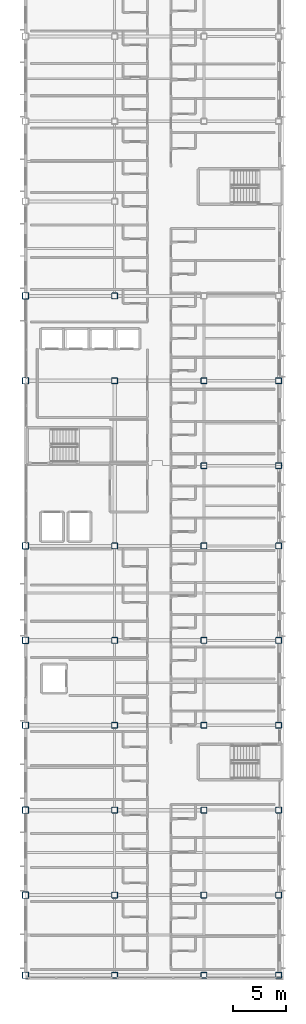
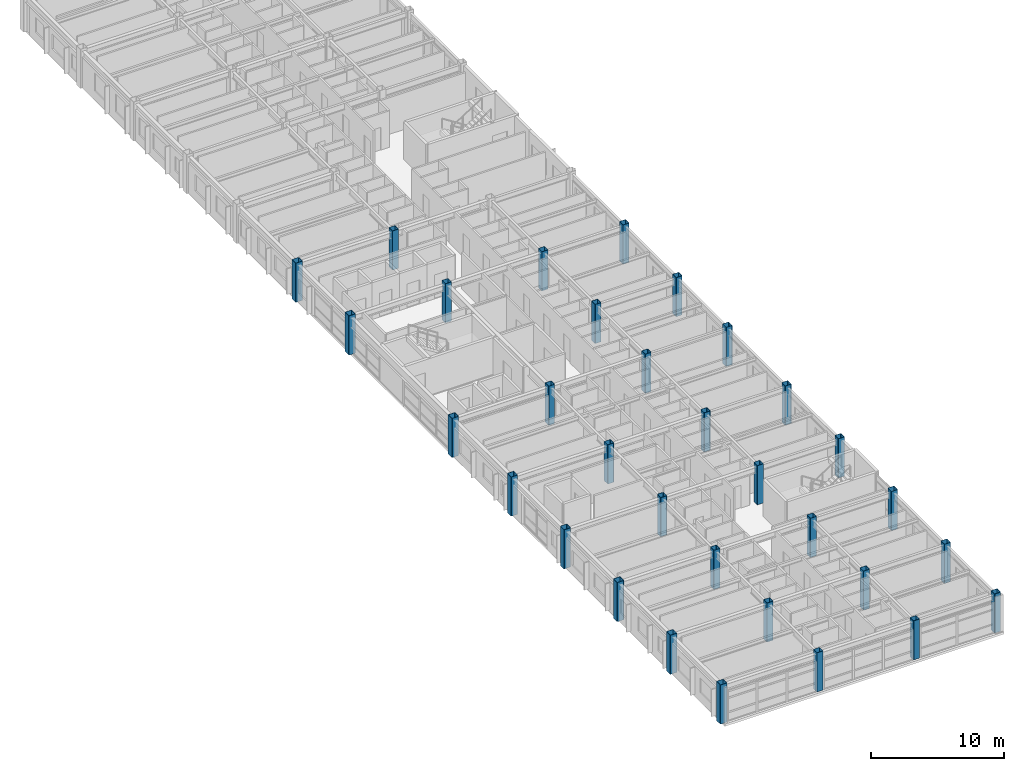
# One storey, part 1 of 38: 32 columns.
"""IFC4 building model written with IfcOpenShell, lengths in metres."""

from ifc_helpers import new_model, si_unit, direction, frame, origin, origin_2d, place, context, subcontext, project, spatial, hollow_rectangle, extrude, material, material_profile, profile_set, type_object, element, save


model = new_model("IFC4")

# Units and contexts
model_context = context("Model", 3, precision=1e-05, world=origin(), true_north=direction((0.0, 1.0)))
body_context = subcontext(model_context, "Body", "Model", "MODEL_VIEW")
ifc_project = project(units=[si_unit("LENGTHUNIT", "METRE"), si_unit("AREAUNIT", "SQUARE_METRE"), si_unit("VOLUMEUNIT", "CUBIC_METRE"), si_unit("PLANEANGLEUNIT", "RADIAN"), si_unit("MASSUNIT", "GRAM", prefix="KILO")], contexts=[model_context])

# Site, building, storey
site_placement = place(None, origin())
site = spatial("IfcSite", under=ifc_project, at=site_placement, CompositionType="ELEMENT")
building_placement = place(site_placement, origin())
building = spatial("IfcBuilding", under=site, at=building_placement, Name="Kazehara Bluff Congress Hotel", CompositionType="ELEMENT")
storey_placement = place(building_placement, frame((0.0, 0.0, 24.60009765625)))
storey = spatial("IfcBuildingStorey", under=building, at=storey_placement, Name="L05", CompositionType="ELEMENT", Elevation=24.60009765625)

# Columns
ifc_material_1 = material(Name="Steel BCR295", Category="steel")
ifc_material_profile_1 = material_profile(ifc_material_1, hollow_rectangle(XDim=0.60009765625, YDim=0.60009765625, WallThickness=0.02490234375, InnerFilletRadius=0.02490234375, OuterFilletRadius=0.050048828125, at=origin_2d()))
ifc_profile_set_1 = profile_set([ifc_material_profile_1], Name="Steel BCR295")
column_type_1 = type_object("IfcColumnType", Name="TP-C-05", PredefinedType="COLUMN", material=ifc_profile_set_1)
for number, where, z_axis, x_axis, name in (
    (1, (143.699951171875, 0.449951171875, 0.0), (0.0, 0.0, 1.0), (1.0, 0.0, 0.0), "L05 column C-05 (143.70,0.45)"),
    (2, (143.699951171875, 8.0, 0.0), (0.0, 0.0, 1.0), (1.0, 0.0, 0.0), "L05 column C-05 (143.70,8.00)"),
    (3, (143.699951171875, 16.0, 0.0), (0.0, 0.0, 1.0), (1.0, 0.0, 0.0), "L05 column C-05 (143.70,16.00)"),
    (4, (143.699951171875, 24.0, 0.0), (0.0, 0.0, 1.0), (1.0, 0.0, 0.0), "L05 column C-05 (143.70,24.00)"),
    (5, (143.699951171875, 32.0, 0.0), (0.0, 0.0, 1.0), (1.0, 0.0, 0.0), "L05 column C-05 (143.70,32.00)"),
    (6, (143.699951171875, 40.89990234375, 0.0), (0.0, 0.0, 1.0), (1.0, 0.0, 0.0), "L05 column C-05 (143.70,40.90)"),
    (7, (143.699951171875, 56.449951171875, 0.0), (0.0, 0.0, 1.0), (1.0, 0.0, 0.0), "L05 column C-05 (143.70,56.45)"),
    (8, (143.699951171875, 64.449951171875, 0.0), (0.0, 0.0, 1.0), (1.0, 0.0, 0.0), "L05 column C-05 (143.70,64.45)"),
):
    element("IfcColumn", number, at=place(storey_placement, frame(where, z_axis=z_axis, x_axis=x_axis)), inside=storey, type_object=column_type_1, Name=name, PredefinedType="COLUMN", context=body_context, shape_type="SweptSolid", body=[
        extrude(hollow_rectangle(XDim=0.60009765625, YDim=0.60009765625, WallThickness=0.02490234375, InnerFilletRadius=0.02490234375, OuterFilletRadius=0.050048828125, at=origin_2d()), origin(), (0.0, 0.0, 1.0), 3.599853515625),
    ])
ifc_material_2 = material(Name="Steel BCR295", Category="steel")
ifc_material_profile_2 = material_profile(ifc_material_2, hollow_rectangle(XDim=0.550048828125, YDim=0.550048828125, WallThickness=0.02197265625, InnerFilletRadius=0.02197265625, OuterFilletRadius=0.0439453125, at=origin_2d()))
ifc_profile_set_2 = profile_set([ifc_material_profile_2], Name="Steel BCR295")
column_type_2 = type_object("IfcColumnType", Name="TP-C-06", PredefinedType="COLUMN", material=ifc_profile_set_2)
for number, where, z_axis, x_axis, name in (
    (9, (152.10009765625, 0.449951171875, 0.0), (0.0, 0.0, 1.0), (1.0, 0.0, 0.0), "L05 column C-06 (152.10,0.45)"),
    (10, (152.10009765625, 8.0, 0.0), (0.0, 0.0, 1.0), (1.0, 0.0, 0.0), "L05 column C-06 (152.10,8.00)"),
    (11, (152.10009765625, 16.0, 0.0), (0.0, 0.0, 1.0), (1.0, 0.0, 0.0), "L05 column C-06 (152.10,16.00)"),
    (12, (152.10009765625, 24.0, 0.0), (0.0, 0.0, 1.0), (1.0, 0.0, 0.0), "L05 column C-06 (152.10,24.00)"),
    (13, (152.10009765625, 32.0, 0.0), (0.0, 0.0, 1.0), (1.0, 0.0, 0.0), "L05 column C-06 (152.10,32.00)"),
    (14, (152.10009765625, 40.89990234375, 0.0), (0.0, 0.0, 1.0), (1.0, 0.0, 0.0), "L05 column C-06 (152.10,40.90)"),
    (15, (152.10009765625, 56.449951171875, 0.0), (0.0, 0.0, 1.0), (1.0, 0.0, 0.0), "L05 column C-06 (152.10,56.45)"),
    (16, (152.10009765625, 64.449951171875, 0.0), (0.0, 0.0, 1.0), (1.0, 0.0, 0.0), "L05 column C-06 (152.10,64.45)"),
    (17, (160.5, 0.449951171875, 0.0), (0.0, 0.0, 1.0), (1.0, 0.0, 0.0), "L05 column C-06 (160.50,0.45)"),
    (18, (160.5, 8.0, 0.0), (0.0, 0.0, 1.0), (1.0, 0.0, 0.0), "L05 column C-06 (160.50,8.00)"),
    (19, (160.5, 16.0, 0.0), (0.0, 0.0, 1.0), (1.0, 0.0, 0.0), "L05 column C-06 (160.50,16.00)"),
    (20, (160.5, 24.0, 0.0), (0.0, 0.0, 1.0), (1.0, 0.0, 0.0), "L05 column C-06 (160.50,24.00)"),
    (21, (160.5, 32.0, 0.0), (0.0, 0.0, 1.0), (1.0, 0.0, 0.0), "L05 column C-06 (160.50,32.00)"),
    (22, (160.5, 40.89990234375, 0.0), (0.0, 0.0, 1.0), (1.0, 0.0, 0.0), "L05 column C-06 (160.50,40.90)"),
    (23, (160.5, 48.449951171875, 0.0), (0.0, 0.0, 1.0), (1.0, 0.0, 0.0), "L05 column C-06 (160.50,48.45)"),
    (24, (160.5, 56.449951171875, 0.0), (0.0, 0.0, 1.0), (1.0, 0.0, 0.0), "L05 column C-06 (160.50,56.45)"),
    (25, (167.550048828125, 0.449951171875, 0.0), (0.0, 0.0, 1.0), (1.0, 0.0, 0.0), "L05 column C-06 (167.55,0.45)"),
    (26, (167.550048828125, 8.0, 0.0), (0.0, 0.0, 1.0), (1.0, 0.0, 0.0), "L05 column C-06 (167.55,8.00)"),
    (27, (167.550048828125, 16.0, 0.0), (0.0, 0.0, 1.0), (1.0, 0.0, 0.0), "L05 column C-06 (167.55,16.00)"),
    (28, (167.550048828125, 24.0, 0.0), (0.0, 0.0, 1.0), (1.0, 0.0, 0.0), "L05 column C-06 (167.55,24.00)"),
    (29, (167.550048828125, 32.0, 0.0), (0.0, 0.0, 1.0), (1.0, 0.0, 0.0), "L05 column C-06 (167.55,32.00)"),
    (30, (167.550048828125, 40.89990234375, 0.0), (0.0, 0.0, 1.0), (1.0, 0.0, 0.0), "L05 column C-06 (167.55,40.90)"),
    (31, (167.550048828125, 48.449951171875, 0.0), (0.0, 0.0, 1.0), (1.0, 0.0, 0.0), "L05 column C-06 (167.55,48.45)"),
    (32, (167.550048828125, 56.449951171875, 0.0), (0.0, 0.0, 1.0), (1.0, 0.0, 0.0), "L05 column C-06 (167.55,56.45)"),
):
    element("IfcColumn", number, at=place(storey_placement, frame(where, z_axis=z_axis, x_axis=x_axis)), inside=storey, type_object=column_type_2, Name=name, PredefinedType="COLUMN", context=body_context, shape_type="SweptSolid", body=[
        extrude(hollow_rectangle(XDim=0.550048828125, YDim=0.550048828125, WallThickness=0.02197265625, InnerFilletRadius=0.02197265625, OuterFilletRadius=0.0439453125, at=origin_2d()), origin(), (0.0, 0.0, 1.0), 3.599853515625),
    ])

save(model, "model.ifc")
